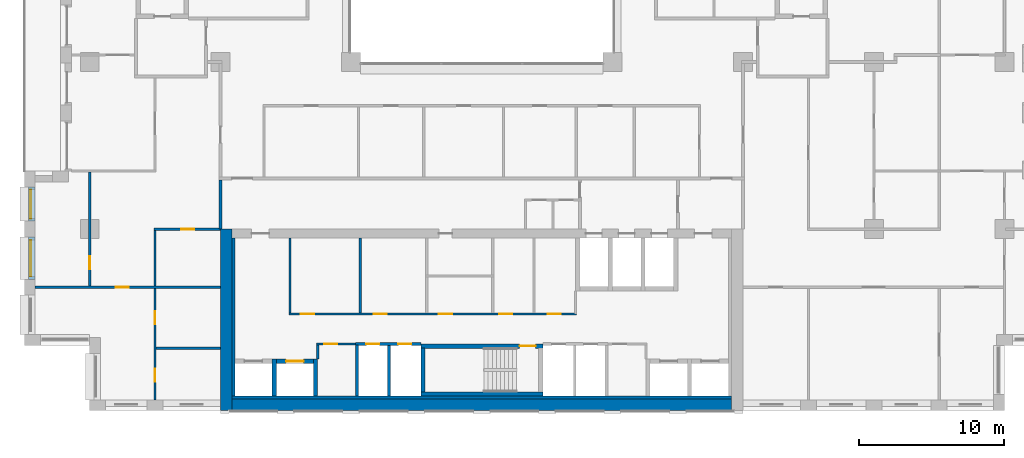
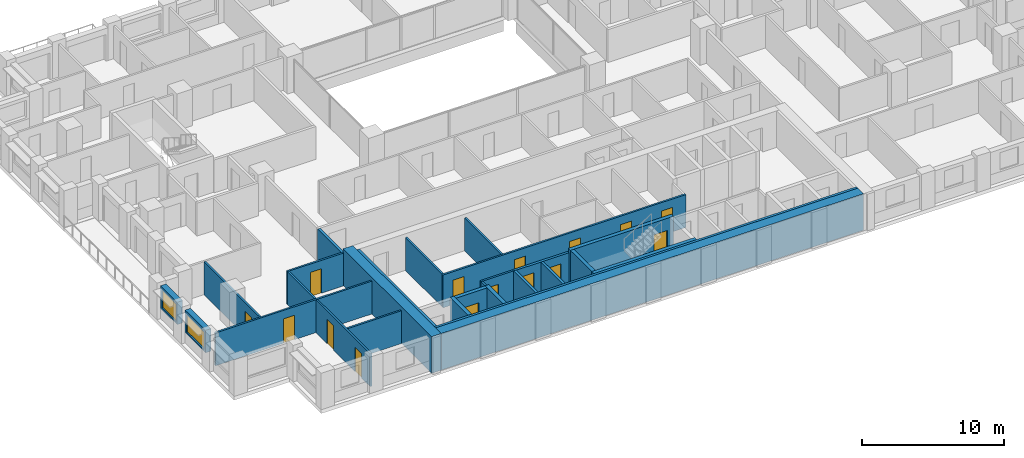
# One storey, part 8 of 16: 27 walls, 15 doors, 2 windows, 17 openings.
"""IFC4 building model written with IfcOpenShell, lengths in metres."""

from ifc_helpers import new_model, si_unit, direction, frame, frame_2d, origin, place, context, subcontext, project, spatial, rectangle, extrude, material, layer, layer_set, type_object, element, fill, save


model = new_model("IFC4")

# Units and contexts
model_context = context("Model", 3, precision=1e-05, world=origin(), true_north=direction((0.0, 1.0)))
body_context = subcontext(model_context, "Body", "Model", "MODEL_VIEW")
ifc_project = project(units=[si_unit("LENGTHUNIT", "METRE"), si_unit("AREAUNIT", "SQUARE_METRE"), si_unit("VOLUMEUNIT", "CUBIC_METRE"), si_unit("PLANEANGLEUNIT", "RADIAN"), si_unit("MASSUNIT", "GRAM", prefix="KILO")], contexts=[model_context])

# Site, building, storey
site_placement = place(None, origin())
site = spatial("IfcSite", under=ifc_project, at=site_placement, CompositionType="ELEMENT")
building_placement = place(site_placement, origin())
building = spatial("IfcBuilding", under=site, at=building_placement, Name="Brigalow Station Residences", CompositionType="ELEMENT")
storey_placement = place(building_placement, frame((0.0, 0.0, 86.699951171875)))
storey = spatial("IfcBuildingStorey", under=building, at=storey_placement, Name="L24", CompositionType="ELEMENT", Elevation=86.699951171875)

# Wall, opening, window
ifc_material_1 = material(Name="Clay brick masonry", Category="masonry")
ifc_layer_1 = layer(ifc_material_1, 0.449951171875)
ifc_layer_set_1 = layer_set([ifc_layer_1], Name="BRICK INFILL WALL 450")
wall_type_1 = type_object("IfcWallType", Name="BRICK INFILL WALL 450", PredefinedType="SOLIDWALL", material=ifc_layer_set_1)
wall_1_placement = place(storey_placement, frame((5.02490234375, 15.39990234375, 0.900146484375), z_axis=(0.0, 0.0, 1.0), x_axis=(0.0, -1.0, 0.0)))
wall_1 = element("IfcWall", 1, at=wall_1_placement, inside=storey, type_object=wall_type_1, Name="L24/ewall/W-L24-47", PredefinedType="SOLIDWALL", context=body_context, shape_type="SweptSolid", body=[
    extrude(rectangle(XDim=2.349853515625, YDim=0.449951171875, at=frame_2d((1.1748046875, 0.0))), origin(), (0.0, 0.0, 1.0), 1.929931640625),
])
opening_1_placement = place(wall_1_placement, frame((0.175048828125, 0.0, 0.14990234375)))
opening_1 = element("IfcOpeningElement", 2, at=opening_1_placement, cuts=wall_1, Name="Opening WT-7", PredefinedType="OPENING", context=body_context, shape_type="SweptSolid", body=[
    extrude(rectangle(XDim=2.0, YDim=1.5, at=frame_2d((1.0, 0.75))), frame((0.0, 0.23486328125, 0.0), z_axis=(0.0, -1.0, 0.0), x_axis=(1.0, 0.0, 0.0)), (0.0, 0.0, 1.0), 0.469970703125),
])
ifc_material_2 = material(Name="Anodised aluminium frame with double glazing", Category="aluminium")
window_type_1 = type_object("IfcWindowType", Name="WINDOW 2000x1500", PartitioningType="SINGLE_PANEL", PredefinedType="WINDOW", material=ifc_material_2)
window_1_placement = place(opening_1_placement, origin())
window_1 = element("IfcWindow", 3, at=window_1_placement, inside=storey, type_object=window_type_1, Name="L24/window/W-L24-47", OverallHeight=1.5, OverallWidth=2.0, PartitioningType="SINGLE_PANEL", PredefinedType="WINDOW", context=body_context, shape_type="SweptSolid", body=[
    extrude(rectangle(XDim=2.0, YDim=1.5, at=frame_2d((1.0, 0.75))), frame((0.0, -0.06494140625, 0.0), z_axis=(0.0, -1.0, 0.0), x_axis=(1.0, 0.0, 0.0)), (0.0, 0.0, 1.0), 0.06005859375),
])
fill(opening_1, window_1)

wall_2_placement = place(storey_placement, frame((5.02490234375, 11.949951171875, 0.900146484375), z_axis=(0.0, 0.0, 1.0), x_axis=(0.0, -1.0, 0.0)))
wall_2 = element("IfcWall", 4, at=wall_2_placement, inside=storey, type_object=wall_type_1, Name="L24/ewall/W-L24-48", PredefinedType="SOLIDWALL", context=body_context, shape_type="SweptSolid", body=[
    extrude(rectangle(XDim=2.89990234375, YDim=0.449951171875, at=frame_2d((1.449951171875, 0.0))), origin(), (0.0, 0.0, 1.0), 1.929931640625),
])
opening_2_placement = place(wall_2_placement, frame((0.199951171875, 0.0, 0.14990234375)))
opening_2 = element("IfcOpeningElement", 5, at=opening_2_placement, cuts=wall_2, Name="Opening WT-5", PredefinedType="OPENING", context=body_context, shape_type="SweptSolid", body=[
    extrude(rectangle(XDim=2.5, YDim=1.5, at=frame_2d((1.25, 0.75))), frame((0.0, 0.23486328125, 0.0), z_axis=(0.0, -1.0, 0.0), x_axis=(1.0, 0.0, 0.0)), (0.0, 0.0, 1.0), 0.469970703125),
])
ifc_material_3 = material(Name="Anodised aluminium frame with double glazing", Category="aluminium")
window_type_2 = type_object("IfcWindowType", Name="WINDOW 2500x1500", PartitioningType="SINGLE_PANEL", PredefinedType="WINDOW", material=ifc_material_3)
window_2_placement = place(opening_2_placement, origin())
window_2 = element("IfcWindow", 6, at=window_2_placement, inside=storey, type_object=window_type_2, Name="L24/window/W-L24-48", OverallHeight=1.5, OverallWidth=2.5, PartitioningType="SINGLE_PANEL", PredefinedType="WINDOW", context=body_context, shape_type="SweptSolid", body=[
    extrude(rectangle(XDim=2.5, YDim=1.5, at=frame_2d((1.25, 0.75))), frame((0.0, -0.06494140625, 0.0), z_axis=(0.0, -1.0, 0.0), x_axis=(1.0, 0.0, 0.0)), (0.0, 0.0, 1.0), 0.06005859375),
])
fill(opening_2, window_2)

# Walls
ifc_material_4 = material(Name="Concrete C65", Category="concrete")
ifc_layer_2 = layer(ifc_material_4, 0.199951171875)
ifc_layer_set_2 = layer_set([ifc_layer_2], Name="CORE SHEAR WALL 200 C65")
wall_type_2 = type_object("IfcWallType", Name="CORE SHEAR WALL 200 C65", PredefinedType="SHEAR", material=ifc_layer_set_2)
wall_3_placement = place(storey_placement, frame((18.89990234375, 1.0, 0.0), z_axis=(0.0, 0.0, 1.0), x_axis=(0.0, 1.0, 0.0)))
element("IfcWall", 7, at=wall_3_placement, inside=storey, type_object=wall_type_2, Name="CORE WALL LIN-W L24", PredefinedType="SHEAR", context=body_context, shape_type="SweptSolid", body=[
    extrude(rectangle(XDim=10.89990234375, YDim=0.199951171875, at=frame_2d((5.449951171875, 0.0))), origin(), (0.0, 0.0, 1.0), 3.150146484375),
])
wall_4_placement = place(storey_placement, frame((18.800048828125, 0.89990234375, 0.0), z_axis=(0.0, 0.0, 1.0), x_axis=(1.0, 0.0, 0.0)))
element("IfcWall", 8, at=wall_4_placement, inside=storey, type_object=wall_type_2, Name="CORE WALL LIN-S L24", PredefinedType="SHEAR", context=body_context, shape_type="SweptSolid", body=[
    extrude(rectangle(XDim=34.39990234375, YDim=0.199951171875, at=frame_2d((17.199951171875, 0.0))), origin(), (0.0, 0.0, 1.0), 3.150146484375),
])

# Wall, opening, door
ifc_material_5 = material(Name="Concrete C65", Category="concrete")
ifc_layer_3 = layer(ifc_material_5, 0.300048828125)
ifc_layer_set_3 = layer_set([ifc_layer_3], Name="CORE SHEAR WALL 300 C65")
wall_type_3 = type_object("IfcWallType", Name="CORE SHEAR WALL 300 C65", PredefinedType="SHEAR", material=ifc_layer_set_3)
wall_5_placement = place(storey_placement, frame((21.85009765625, 3.39990234375, 0.0), z_axis=(0.0, 0.0, 1.0), x_axis=(1.0, 0.0, 0.0)))
wall_5 = element("IfcWall", 9, at=wall_5_placement, inside=storey, type_object=wall_type_3, Name="CORE WALL SH-C2-N L24", PredefinedType="SHEAR", context=body_context, shape_type="SweptSolid", body=[
    extrude(rectangle(XDim=2.5498046875, YDim=0.300048828125, at=frame_2d((1.27490234375, 0.0))), origin(), (0.0, 0.0, 1.0), 3.150146484375),
])
opening_3_placement = place(wall_5_placement, frame((0.675048828125, 0.0, 0.0)))
opening_3 = element("IfcOpeningElement", 10, at=opening_3_placement, cuts=wall_5, Name="Opening LD-LB2", PredefinedType="OPENING", context=body_context, shape_type="SweptSolid", body=[
    extrude(rectangle(XDim=1.199951171875, YDim=2.10009765625, at=frame_2d((0.60009765625, 1.050048828125))), frame((0.0, 0.16015625, 0.0), z_axis=(0.0, -1.0, 0.0), x_axis=(1.0, 0.0, 0.0)), (0.0, 0.0, 1.0), 0.320068359375),
])
ifc_material_6 = material(Name="Stainless steel sliding door leaves", Category="steel")
door_type_1 = type_object("IfcDoorType", Name="LIFT LANDING DOOR 1200 x 2100", OperationType="DOUBLE_DOOR_SLIDING", PredefinedType="DOOR", material=ifc_material_6)
door_1_placement = place(opening_3_placement, origin())
door_1 = element("IfcDoor", 11, at=door_1_placement, inside=storey, type_object=door_type_1, Name="LANDING DOOR LB2", OperationType="DOUBLE_DOOR_SLIDING", OverallHeight=2.10009765625, OverallWidth=1.199951171875, PredefinedType="DOOR", context=body_context, shape_type="SweptSolid", body=[
    extrude(rectangle(XDim=1.199951171875, YDim=2.10009765625, at=frame_2d((0.60009765625, 1.050048828125))), frame((0.0, 0.02490234375, 0.0), z_axis=(0.0, -1.0, 0.0), x_axis=(1.0, 0.0, 0.0)), (0.0, 0.0, 1.0), 0.050048828125),
])
fill(opening_3, door_1)

# Walls
for number, where, z_axis, x_axis, name in (
    (12, (21.699951171875, 1.0, 0.0), (0.0, 0.0, 1.0), (0.0, 1.0, 0.0), "CORE WALL SH-C2-W L24"),
    (13, (24.550048828125, 1.0, 0.0), (0.0, 0.0, 1.0), (0.0, 1.0, 0.0), "CORE WALL SH-C2-E L24"),
):
    element("IfcWall", number, at=place(storey_placement, frame(where, z_axis=z_axis, x_axis=x_axis)), inside=storey, type_object=wall_type_3, Name=name, PredefinedType="SHEAR", context=body_context, shape_type="SweptSolid", body=[
        extrude(rectangle(XDim=2.550048828125, YDim=0.300048828125, at=frame_2d((1.27490234375, 0.0))), origin(), (0.0, 0.0, 1.0), 3.150146484375),
    ])
wall_6_placement = place(storey_placement, frame((31.800048828125, 1.14990234375, 0.0), z_axis=(0.0, 0.0, 1.0), x_axis=(1.0, 0.0, 0.0)))
element("IfcWall", 14, at=wall_6_placement, inside=storey, type_object=wall_type_3, Name="CORE WALL ST-S2-S L24", PredefinedType="SHEAR", context=body_context, shape_type="SweptSolid", body=[
    extrude(rectangle(XDim=8.39990234375, YDim=0.300048828125, at=frame_2d((4.199951171875, 0.0))), origin(), (0.0, 0.0, 1.0), 3.150146484375),
])

# Wall, opening, door
wall_7_placement = place(storey_placement, frame((31.800048828125, 4.449951171875, 0.0), z_axis=(0.0, 0.0, 1.0), x_axis=(1.0, 0.0, 0.0)))
wall_7 = element("IfcWall", 15, at=wall_7_placement, inside=storey, type_object=wall_type_3, Name="CORE WALL ST-S2-N L24", PredefinedType="SHEAR", context=body_context, shape_type="SweptSolid", body=[
    extrude(rectangle(XDim=8.39990234375, YDim=0.300048828125, at=frame_2d((4.199951171875, 0.0))), origin(), (0.0, 0.0, 1.0), 3.150146484375),
])
opening_4_placement = place(wall_7_placement, frame((6.800048828125, 0.0, 0.0)))
opening_4 = element("IfcOpeningElement", 16, at=opening_4_placement, cuts=wall_7, Name="Opening D-5001", PredefinedType="OPENING", context=body_context, shape_type="SweptSolid", body=[
    extrude(rectangle(XDim=1.10009765625, YDim=2.10009765625, at=frame_2d((0.550048828125, 1.050048828125))), frame((0.0, 0.16015625, 0.0), z_axis=(0.0, -1.0, 0.0), x_axis=(1.0, 0.0, 0.0)), (0.0, 0.0, 1.0), 0.320068359375),
])
ifc_material_7 = material(Name="Steel fire door leaf in steel frame", Category="steel")
door_type_2 = type_object("IfcDoorType", Name="STAIR DOOR 1100 x 2100 FD60S", OperationType="SINGLE_SWING_LEFT", PredefinedType="DOOR", material=ifc_material_7)
door_2_placement = place(opening_4_placement, frame((1.10009765625, 0.0, 0.0), z_axis=(0.0, 0.0, 1.0), x_axis=(-1.0, 0.0, 0.0)))
door_2 = element("IfcDoor", 17, at=door_2_placement, inside=storey, type_object=door_type_2, Name="D-5001", OperationType="SINGLE_SWING_LEFT", OverallHeight=2.10009765625, OverallWidth=1.10009765625, PredefinedType="DOOR", context=body_context, shape_type="SweptSolid", body=[
    extrude(rectangle(XDim=1.10009765625, YDim=2.10009765625, at=frame_2d((0.550048828125, 1.050048828125))), frame((0.0, 0.02490234375, 0.0), z_axis=(0.0, -1.0, 0.0), x_axis=(1.0, 0.0, 0.0)), (0.0, 0.0, 1.0), 0.050048828125),
])
fill(opening_4, door_2)

# Walls
wall_8_placement = place(storey_placement, frame((31.949951171875, 1.300048828125, 0.0), z_axis=(0.0, 0.0, 1.0), x_axis=(0.0, 1.0, 0.0)))
element("IfcWall", 18, at=wall_8_placement, inside=storey, type_object=wall_type_3, Name="CORE WALL ST-S2-W L24", PredefinedType="SHEAR", context=body_context, shape_type="SweptSolid", body=[
    extrude(rectangle(XDim=3.0, YDim=0.300048828125, at=frame_2d((1.5, 0.0))), origin(), (0.0, 0.0, 1.0), 3.150146484375),
])
ifc_material_8 = material(Name="Concrete C65", Category="concrete")
ifc_layer_4 = layer(ifc_material_8, 0.800048828125)
ifc_layer_set_4 = layer_set([ifc_layer_4], Name="CORE SHEAR WALL 800 C65")
wall_type_4 = type_object("IfcWallType", Name="CORE SHEAR WALL 800 C65", PredefinedType="SHEAR", material=ifc_layer_set_4)
wall_9_placement = place(storey_placement, frame((18.39990234375, 0.0, 0.0), z_axis=(0.0, 0.0, 1.0), x_axis=(0.0, 1.0, 0.0)))
element("IfcWall", 19, at=wall_9_placement, inside=storey, type_object=wall_type_4, Name="CORE WALL OUT-W L24", PredefinedType="SHEAR", context=body_context, shape_type="SweptSolid", body=[
    extrude(rectangle(XDim=12.5, YDim=0.800048828125, at=frame_2d((6.25, 0.0))), origin(), (0.0, 0.0, 1.0), 3.150146484375),
])
wall_10_placement = place(storey_placement, frame((18.800048828125, 0.39990234375, 0.0), z_axis=(0.0, 0.0, 1.0), x_axis=(1.0, 0.0, 0.0)))
element("IfcWall", 20, at=wall_10_placement, inside=storey, type_object=wall_type_4, Name="CORE WALL OUT-S L24", PredefinedType="SHEAR", context=body_context, shape_type="SweptSolid", body=[
    extrude(rectangle(XDim=34.39990234375, YDim=0.800048828125, at=frame_2d((17.199951171875, 0.0))), origin(), (0.0, 0.0, 1.0), 3.150146484375),
])

# Wall, openings, doors
ifc_material_9 = material(Name="Concrete blockwork", Category="masonry")
ifc_layer_5 = layer(ifc_material_9, 0.199951171875)
ifc_layer_set_5 = layer_set([ifc_layer_5], Name="FIRE RATED CORE PARTITION 200")
wall_type_5 = type_object("IfcWallType", Name="FIRE RATED CORE PARTITION 200", PredefinedType="PARTITIONING", material=ifc_layer_set_5)
wall_11_placement = place(storey_placement, frame((27.300048828125, 4.60009765625, 0.0), z_axis=(0.0, 0.0, 1.0), x_axis=(1.0, 0.0, 0.0)))
wall_11 = element("IfcWall", 21, at=wall_11_placement, inside=storey, type_object=wall_type_5, Name="PW-5017", PredefinedType="PARTITIONING", context=body_context, shape_type="SweptSolid", body=[
    extrude(rectangle(XDim=4.5, YDim=0.199951171875, at=frame_2d((2.25, 0.0))), origin(), (0.0, 0.0, 1.0), 2.830078125),
])
opening_5_placement = place(wall_11_placement, frame((0.75, 0.0, 0.0)))
opening_5 = element("IfcOpeningElement", 22, at=opening_5_placement, cuts=wall_11, Name="Opening D-5007", PredefinedType="OPENING", context=body_context, shape_type="SweptSolid", body=[
    extrude(rectangle(XDim=0.89990234375, YDim=2.10009765625, at=frame_2d((0.449951171875, 1.050048828125))), frame((0.0, 0.10986328125, 0.0), z_axis=(0.0, -1.0, 0.0), x_axis=(1.0, 0.0, 0.0)), (0.0, 0.0, 1.0), 0.219970703125),
])
opening_6_placement = place(wall_11_placement, frame((2.949951171875, 0.0, 0.0)))
opening_6 = element("IfcOpeningElement", 23, at=opening_6_placement, cuts=wall_11, Name="Opening D-5008", PredefinedType="OPENING", context=body_context, shape_type="SweptSolid", body=[
    extrude(rectangle(XDim=0.89990234375, YDim=2.10009765625, at=frame_2d((0.449951171875, 1.050048828125))), frame((0.0, 0.10986328125, 0.0), z_axis=(0.0, -1.0, 0.0), x_axis=(1.0, 0.0, 0.0)), (0.0, 0.0, 1.0), 0.219970703125),
])
ifc_material_10 = material(Name="Steel fire door leaf in steel frame", Category="steel")
door_type_3 = type_object("IfcDoorType", Name="RISER ACCESS DOOR 900 x 2100 FD120", OperationType="SINGLE_SWING_LEFT", PredefinedType="DOOR", material=ifc_material_10)
door_3_placement = place(opening_5_placement, frame((0.89990234375, 0.0, 0.0), z_axis=(0.0, 0.0, 1.0), x_axis=(-1.0, 0.0, 0.0)))
door_3 = element("IfcDoor", 24, at=door_3_placement, inside=storey, type_object=door_type_3, Name="D-5007", OperationType="SINGLE_SWING_RIGHT", OverallHeight=2.10009765625, OverallWidth=0.89990234375, PredefinedType="DOOR", context=body_context, shape_type="SweptSolid", body=[
    extrude(rectangle(XDim=0.89990234375, YDim=2.10009765625, at=frame_2d((0.449951171875, 1.050048828125))), frame((0.0, 0.02490234375, 0.0), z_axis=(0.0, -1.0, 0.0), x_axis=(1.0, 0.0, 0.0)), (0.0, 0.0, 1.0), 0.050048828125),
])
fill(opening_5, door_3)
door_4_placement = place(opening_6_placement, frame((0.89990234375, 0.0, 0.0), z_axis=(0.0, 0.0, 1.0), x_axis=(-1.0, 0.0, 0.0)))
door_4 = element("IfcDoor", 25, at=door_4_placement, inside=storey, type_object=door_type_3, Name="D-5008", OperationType="SINGLE_SWING_RIGHT", OverallHeight=2.10009765625, OverallWidth=0.89990234375, PredefinedType="DOOR", context=body_context, shape_type="SweptSolid", body=[
    extrude(rectangle(XDim=0.89990234375, YDim=2.10009765625, at=frame_2d((0.449951171875, 1.050048828125))), frame((0.0, 0.02490234375, 0.0), z_axis=(0.0, -1.0, 0.0), x_axis=(1.0, 0.0, 0.0)), (0.0, 0.0, 1.0), 0.050048828125),
])
fill(opening_6, door_4)

# Walls
wall_12_placement = place(storey_placement, frame((27.39990234375, 1.0, 0.0), z_axis=(0.0, 0.0, 1.0), x_axis=(0.0, 1.0, 0.0)))
element("IfcWall", 26, at=wall_12_placement, inside=storey, type_object=wall_type_5, Name="PW-5027", PredefinedType="PARTITIONING", context=body_context, shape_type="SweptSolid", body=[
    extrude(rectangle(XDim=3.52490234375, YDim=0.199951171875, at=frame_2d((1.762451171875, 0.0))), origin(), (0.0, 0.0, 1.0), 2.830078125),
])
wall_13_placement = place(storey_placement, frame((29.60009765625, 1.0, 0.0), z_axis=(0.0, 0.0, 1.0), x_axis=(0.0, 1.0, 0.0)))
element("IfcWall", 27, at=wall_13_placement, inside=storey, type_object=wall_type_5, Name="PW-5006", PredefinedType="PARTITIONING", context=body_context, shape_type="SweptSolid", body=[
    extrude(rectangle(XDim=3.5, YDim=0.199951171875, at=frame_2d((1.75, 0.0))), origin(), (0.0, 0.0, 1.0), 2.830078125),
])
wall_14_placement = place(storey_placement, frame((18.0, 12.5, 0.0), z_axis=(0.0, 0.0, 1.0), x_axis=(0.0, 1.0, 0.0)))
element("IfcWall", 28, at=wall_14_placement, inside=storey, type_object=wall_type_5, Name="PW-5013", PredefinedType="PARTITIONING", context=body_context, shape_type="SweptSolid", body=[
    extrude(rectangle(XDim=3.39990234375, YDim=0.199951171875, at=frame_2d((1.699951171875, 0.0))), origin(), (0.0, 0.0, 1.0), 2.830078125),
])

# Wall, opening, door
ifc_material_11 = material(Name="Plasterboard on steel stud partition", Category="steel")
ifc_layer_6 = layer(ifc_material_11, 0.14990234375)
ifc_layer_set_6 = layer_set([ifc_layer_6], Name="FLAT PARTITION 150")
wall_type_6 = type_object("IfcWallType", Name="FLAT PARTITION 150", PredefinedType="PARTITIONING", material=ifc_layer_set_6)
wall_15_placement = place(storey_placement, frame((5.25, 8.5, 0.0), z_axis=(0.0, 0.0, 1.0), x_axis=(1.0, 0.0, 0.0)))
wall_15 = element("IfcWall", 29, at=wall_15_placement, inside=storey, type_object=wall_type_6, Name="PW-2A11", PredefinedType="PARTITIONING", context=body_context, shape_type="SweptSolid", body=[
    extrude(rectangle(XDim=12.75, YDim=0.14990234375, at=frame_2d((6.375, 0.0))), origin(), (0.0, 0.0, 1.0), 2.830078125),
])
opening_7_placement = place(wall_15_placement, frame((5.550048828125, 0.0, 0.0)))
opening_7 = element("IfcOpeningElement", 30, at=opening_7_placement, cuts=wall_15, Name="Opening D-2A04", PredefinedType="OPENING", context=body_context, shape_type="SweptSolid", body=[
    extrude(rectangle(XDim=0.89990234375, YDim=2.10009765625, at=frame_2d((0.449951171875, 1.050048828125))), frame((0.0, 0.0849609375, 0.0), z_axis=(0.0, -1.0, 0.0), x_axis=(1.0, 0.0, 0.0)), (0.0, 0.0, 1.0), 0.169921875),
])
ifc_material_12 = material(Name="Solid-core timber door leaf", Category="wood")
door_type_4 = type_object("IfcDoorType", Name="INTERNAL DOOR 900 x 2100", OperationType="SINGLE_SWING_LEFT", PredefinedType="DOOR", material=ifc_material_12)
door_5_placement = place(opening_7_placement, frame((0.89990234375, 0.0, 0.0), z_axis=(0.0, 0.0, 1.0), x_axis=(-1.0, 0.0, 0.0)))
door_5 = element("IfcDoor", 31, at=door_5_placement, inside=storey, type_object=door_type_4, Name="D-2A04", OperationType="SINGLE_SWING_LEFT", OverallHeight=2.10009765625, OverallWidth=0.89990234375, PredefinedType="DOOR", context=body_context, shape_type="SweptSolid", body=[
    extrude(rectangle(XDim=0.89990234375, YDim=2.10009765625, at=frame_2d((0.449951171875, 1.050048828125))), frame((0.0, 0.02490234375, 0.0), z_axis=(0.0, -1.0, 0.0), x_axis=(1.0, 0.0, 0.0)), (0.0, 0.0, 1.0), 0.050048828125),
])
fill(opening_7, door_5)

# Wall
wall_16_placement = place(storey_placement, frame((13.574951171875, 4.300048828125, 0.0), z_axis=(0.0, 0.0, 1.0), x_axis=(1.0, 0.0, 0.0)))
element("IfcWall", 32, at=wall_16_placement, inside=storey, type_object=wall_type_6, Name="PW-2A13", PredefinedType="PARTITIONING", context=body_context, shape_type="SweptSolid", body=[
    extrude(rectangle(XDim=4.425048828125, YDim=0.14990234375, at=frame_2d((2.21240234375, 0.0))), origin(), (0.0, 0.0, 1.0), 2.830078125),
])

# Wall, opening, door
wall_17_placement = place(storey_placement, frame((13.425048828125, 12.5, 0.0), z_axis=(0.0, 0.0, 1.0), x_axis=(1.0, 0.0, 0.0)))
wall_17 = element("IfcWall", 33, at=wall_17_placement, inside=storey, type_object=wall_type_6, Name="PW-2A16", PredefinedType="PARTITIONING", context=body_context, shape_type="SweptSolid", body=[
    extrude(rectangle(XDim=4.574951171875, YDim=0.14990234375, at=frame_2d((2.28759765625, 0.0))), origin(), (0.0, 0.0, 1.0), 2.830078125),
])
opening_8_placement = place(wall_17_placement, frame((1.875, 0.0, 0.0)))
opening_8 = element("IfcOpeningElement", 34, at=opening_8_placement, cuts=wall_17, Name="Opening D-2A08", PredefinedType="OPENING", context=body_context, shape_type="SweptSolid", body=[
    extrude(rectangle(XDim=0.89990234375, YDim=2.10009765625, at=frame_2d((0.449951171875, 1.050048828125))), frame((0.0, 0.0849609375, 0.0), z_axis=(0.0, -1.0, 0.0), x_axis=(1.0, 0.0, 0.0)), (0.0, 0.0, 1.0), 0.169921875),
])
door_6_placement = place(opening_8_placement, frame((0.89990234375, 0.0, 0.0), z_axis=(0.0, 0.0, 1.0), x_axis=(-1.0, 0.0, 0.0)))
door_6 = element("IfcDoor", 35, at=door_6_placement, inside=storey, type_object=door_type_4, Name="D-2A08", OperationType="SINGLE_SWING_RIGHT", OverallHeight=2.10009765625, OverallWidth=0.89990234375, PredefinedType="DOOR", context=body_context, shape_type="SweptSolid", body=[
    extrude(rectangle(XDim=0.89990234375, YDim=2.10009765625, at=frame_2d((0.449951171875, 1.050048828125))), frame((0.0, 0.02490234375, 0.0), z_axis=(0.0, -1.0, 0.0), x_axis=(1.0, 0.0, 0.0)), (0.0, 0.0, 1.0), 0.050048828125),
])
fill(opening_8, door_6)

# Wall, openings, doors
wall_18_placement = place(storey_placement, frame((13.5, 0.75, 0.0), z_axis=(0.0, 0.0, 1.0), x_axis=(0.0, 1.0, 0.0)))
wall_18 = element("IfcWall", 36, at=wall_18_placement, inside=storey, type_object=wall_type_6, Name="PW-2A48", PredefinedType="PARTITIONING", context=body_context, shape_type="SweptSolid", body=[
    extrude(rectangle(XDim=7.675048828125, YDim=0.14990234375, at=frame_2d((3.83740234375, 0.0))), origin(), (0.0, 0.0, 1.0), 2.830078125),
])
opening_9_placement = place(wall_18_placement, frame((1.25, 0.0, 0.0)))
opening_9 = element("IfcOpeningElement", 37, at=opening_9_placement, cuts=wall_18, Name="Opening D-2A05", PredefinedType="OPENING", context=body_context, shape_type="SweptSolid", body=[
    extrude(rectangle(XDim=0.89990234375, YDim=2.10009765625, at=frame_2d((0.449951171875, 1.050048828125))), frame((0.0, 0.0849609375, 0.0), z_axis=(0.0, -1.0, 0.0), x_axis=(1.0, 0.0, 0.0)), (0.0, 0.0, 1.0), 0.169921875),
])
opening_10_placement = place(wall_18_placement, frame((5.199951171875, 0.0, 0.0)))
opening_10 = element("IfcOpeningElement", 38, at=opening_10_placement, cuts=wall_18, Name="Opening D-2A06", PredefinedType="OPENING", context=body_context, shape_type="SweptSolid", body=[
    extrude(rectangle(XDim=0.89990234375, YDim=2.10009765625, at=frame_2d((0.449951171875, 1.050048828125))), frame((0.0, 0.0849609375, 0.0), z_axis=(0.0, -1.0, 0.0), x_axis=(1.0, 0.0, 0.0)), (0.0, 0.0, 1.0), 0.169921875),
])
door_7_placement = place(opening_9_placement, frame((0.89990234375, 0.0, 0.0), z_axis=(0.0, 0.0, 1.0), x_axis=(-1.0, 0.0, 0.0)))
door_7 = element("IfcDoor", 39, at=door_7_placement, inside=storey, type_object=door_type_4, Name="D-2A05", OperationType="SINGLE_SWING_RIGHT", OverallHeight=2.10009765625, OverallWidth=0.89990234375, PredefinedType="DOOR", context=body_context, shape_type="SweptSolid", body=[
    extrude(rectangle(XDim=0.89990234375, YDim=2.10009765625, at=frame_2d((0.449951171875, 1.050048828125))), frame((0.0, 0.02490234375, 0.0), z_axis=(0.0, -1.0, 0.0), x_axis=(1.0, 0.0, 0.0)), (0.0, 0.0, 1.0), 0.050048828125),
])
fill(opening_9, door_7)
door_8_placement = place(opening_10_placement, frame((0.89990234375, 0.0, 0.0), z_axis=(0.0, 0.0, 1.0), x_axis=(-1.0, 0.0, 0.0)))
door_8 = element("IfcDoor", 40, at=door_8_placement, inside=storey, type_object=door_type_4, Name="D-2A06", OperationType="SINGLE_SWING_LEFT", OverallHeight=2.10009765625, OverallWidth=0.89990234375, PredefinedType="DOOR", context=body_context, shape_type="SweptSolid", body=[
    extrude(rectangle(XDim=0.89990234375, YDim=2.10009765625, at=frame_2d((0.449951171875, 1.050048828125))), frame((0.0, 0.02490234375, 0.0), z_axis=(0.0, -1.0, 0.0), x_axis=(1.0, 0.0, 0.0)), (0.0, 0.0, 1.0), 0.050048828125),
])
fill(opening_10, door_8)

# Wall
wall_19_placement = place(storey_placement, frame((13.5, 8.574951171875, 0.0), z_axis=(0.0, 0.0, 1.0), x_axis=(0.0, 1.0, 0.0)))
element("IfcWall", 41, at=wall_19_placement, inside=storey, type_object=wall_type_6, Name="PW-2A49", PredefinedType="PARTITIONING", context=body_context, shape_type="SweptSolid", body=[
    extrude(rectangle(XDim=3.85009765625, YDim=0.14990234375, at=frame_2d((1.925048828125, 0.0))), origin(), (0.0, 0.0, 1.0), 2.830078125),
])

# Wall, opening, door
wall_20_placement = place(storey_placement, frame((9.0, 8.574951171875, 0.0), z_axis=(0.0, 0.0, 1.0), x_axis=(0.0, 1.0, 0.0)))
wall_20 = element("IfcWall", 42, at=wall_20_placement, inside=storey, type_object=wall_type_6, Name="PW-2A52", PredefinedType="PARTITIONING", context=body_context, shape_type="SweptSolid", body=[
    extrude(rectangle(XDim=7.85009765625, YDim=0.14990234375, at=frame_2d((3.925048828125, 0.0))), origin(), (0.0, 0.0, 1.0), 2.830078125),
])
opening_11_placement = place(wall_20_placement, frame((1.14990234375, 0.0, 0.0)))
opening_11 = element("IfcOpeningElement", 43, at=opening_11_placement, cuts=wall_20, Name="Opening D-2A07", PredefinedType="OPENING", context=body_context, shape_type="SweptSolid", body=[
    extrude(rectangle(XDim=0.89990234375, YDim=2.10009765625, at=frame_2d((0.449951171875, 1.050048828125))), frame((0.0, 0.0849609375, 0.0), z_axis=(0.0, -1.0, 0.0), x_axis=(1.0, 0.0, 0.0)), (0.0, 0.0, 1.0), 0.169921875),
])
door_9_placement = place(opening_11_placement, origin())
door_9 = element("IfcDoor", 44, at=door_9_placement, inside=storey, type_object=door_type_4, Name="D-2A07", OperationType="SINGLE_SWING_LEFT", OverallHeight=2.10009765625, OverallWidth=0.89990234375, PredefinedType="DOOR", context=body_context, shape_type="SweptSolid", body=[
    extrude(rectangle(XDim=0.89990234375, YDim=2.10009765625, at=frame_2d((0.449951171875, 1.050048828125))), frame((0.0, 0.02490234375, 0.0), z_axis=(0.0, -1.0, 0.0), x_axis=(1.0, 0.0, 0.0)), (0.0, 0.0, 1.0), 0.050048828125),
])
fill(opening_11, door_9)

ifc_material_13 = material(Name="Plasterboard on steel studs", Category="steel")
ifc_layer_7 = layer(ifc_material_13, 0.14990234375)
ifc_layer_set_7 = layer_set([ifc_layer_7], Name="SERVICE ROOM PARTITION 150")
wall_type_7 = type_object("IfcWallType", Name="SERVICE ROOM PARTITION 150", PredefinedType="PARTITIONING", material=ifc_layer_set_7)
wall_21_placement = place(storey_placement, frame((24.625, 4.60009765625, 0.0), z_axis=(0.0, 0.0, 1.0), x_axis=(1.0, 0.0, 0.0)))
wall_21 = element("IfcWall", 45, at=wall_21_placement, inside=storey, type_object=wall_type_7, Name="PW-5155", PredefinedType="PARTITIONING", context=body_context, shape_type="SweptSolid", body=[
    extrude(rectangle(XDim=2.675048828125, YDim=0.14990234375, at=frame_2d((1.33740234375, 0.0))), origin(), (0.0, 0.0, 1.0), 2.830078125),
])
opening_12_placement = place(wall_21_placement, frame((0.52490234375, 0.0, 0.0)))
opening_12 = element("IfcOpeningElement", 46, at=opening_12_placement, cuts=wall_21, Name="Opening D-5087", PredefinedType="OPENING", context=body_context, shape_type="SweptSolid", body=[
    extrude(rectangle(XDim=0.89990234375, YDim=2.10009765625, at=frame_2d((0.449951171875, 1.050048828125))), frame((0.0, 0.0849609375, 0.0), z_axis=(0.0, -1.0, 0.0), x_axis=(1.0, 0.0, 0.0)), (0.0, 0.0, 1.0), 0.169921875),
])
ifc_material_14 = material(Name="Steel door leaf in steel frame", Category="steel")
door_type_5 = type_object("IfcDoorType", Name="SERVICE ROOM DOOR 900 x 2100 FD60", OperationType="SINGLE_SWING_LEFT", PredefinedType="DOOR", material=ifc_material_14)
door_10_placement = place(opening_12_placement, frame((0.89990234375, 0.0, 0.0), z_axis=(0.0, 0.0, 1.0), x_axis=(-1.0, 0.0, 0.0)))
door_10 = element("IfcDoor", 47, at=door_10_placement, inside=storey, type_object=door_type_5, Name="D-5087", OperationType="SINGLE_SWING_RIGHT", OverallHeight=2.10009765625, OverallWidth=0.89990234375, PredefinedType="DOOR", context=body_context, shape_type="SweptSolid", body=[
    extrude(rectangle(XDim=0.89990234375, YDim=2.10009765625, at=frame_2d((0.449951171875, 1.050048828125))), frame((0.0, 0.02490234375, 0.0), z_axis=(0.0, -1.0, 0.0), x_axis=(1.0, 0.0, 0.0)), (0.0, 0.0, 1.0), 0.050048828125),
])
fill(opening_12, door_10)

# Wall, openings, doors
wall_22_placement = place(storey_placement, frame((22.72509765625, 6.64990234375, 0.0), z_axis=(0.0, 0.0, 1.0), x_axis=(1.0, 0.0, 0.0)))
wall_22 = element("IfcWall", 48, at=wall_22_placement, inside=storey, type_object=wall_type_7, Name="PW-5195", PredefinedType="PARTITIONING", context=body_context, shape_type="SweptSolid", body=[
    extrude(rectangle(XDim=19.7998046875, YDim=0.14990234375, at=frame_2d((9.89990234375, 0.0))), origin(), (0.0, 0.0, 1.0), 2.830078125),
])
opening_13_placement = place(wall_22_placement, frame((0.824951171875, 0.0, 0.0)))
opening_13 = element("IfcOpeningElement", 49, at=opening_13_placement, cuts=wall_22, Name="Opening D-5110", PredefinedType="OPENING", context=body_context, shape_type="SweptSolid", body=[
    extrude(rectangle(XDim=0.89990234375, YDim=2.10009765625, at=frame_2d((0.449951171875, 1.050048828125))), frame((0.0, 0.0849609375, 0.0), z_axis=(0.0, -1.0, 0.0), x_axis=(1.0, 0.0, 0.0)), (0.0, 0.0, 1.0), 0.169921875),
])
opening_14_placement = place(wall_22_placement, frame((5.824951171875, 0.0, 0.0)))
opening_14 = element("IfcOpeningElement", 50, at=opening_14_placement, cuts=wall_22, Name="Opening D-5111", PredefinedType="OPENING", context=body_context, shape_type="SweptSolid", body=[
    extrude(rectangle(XDim=0.89990234375, YDim=2.10009765625, at=frame_2d((0.449951171875, 1.050048828125))), frame((0.0, 0.0849609375, 0.0), z_axis=(0.0, -1.0, 0.0), x_axis=(1.0, 0.0, 0.0)), (0.0, 0.0, 1.0), 0.169921875),
])
opening_15_placement = place(wall_22_placement, frame((10.324951171875, 0.0, 0.0)))
opening_15 = element("IfcOpeningElement", 51, at=opening_15_placement, cuts=wall_22, Name="Opening D-5112", PredefinedType="OPENING", context=body_context, shape_type="SweptSolid", body=[
    extrude(rectangle(XDim=0.89990234375, YDim=2.10009765625, at=frame_2d((0.449951171875, 1.050048828125))), frame((0.0, 0.0849609375, 0.0), z_axis=(0.0, -1.0, 0.0), x_axis=(1.0, 0.0, 0.0)), (0.0, 0.0, 1.0), 0.169921875),
])
opening_16_placement = place(wall_22_placement, frame((14.47509765625, 0.0, 0.0)))
opening_16 = element("IfcOpeningElement", 52, at=opening_16_placement, cuts=wall_22, Name="Opening D-5114", PredefinedType="OPENING", context=body_context, shape_type="SweptSolid", body=[
    extrude(rectangle(XDim=0.89990234375, YDim=2.10009765625, at=frame_2d((0.449951171875, 1.050048828125))), frame((0.0, 0.0849609375, 0.0), z_axis=(0.0, -1.0, 0.0), x_axis=(1.0, 0.0, 0.0)), (0.0, 0.0, 1.0), 0.169921875),
])
opening_17_placement = place(wall_22_placement, frame((17.824951171875, 0.0, 0.0)))
opening_17 = element("IfcOpeningElement", 53, at=opening_17_placement, cuts=wall_22, Name="Opening D-5115", PredefinedType="OPENING", context=body_context, shape_type="SweptSolid", body=[
    extrude(rectangle(XDim=0.89990234375, YDim=2.10009765625, at=frame_2d((0.449951171875, 1.050048828125))), frame((0.0, 0.0849609375, 0.0), z_axis=(0.0, -1.0, 0.0), x_axis=(1.0, 0.0, 0.0)), (0.0, 0.0, 1.0), 0.169921875),
])
door_11_placement = place(opening_13_placement, origin())
door_11 = element("IfcDoor", 54, at=door_11_placement, inside=storey, type_object=door_type_5, Name="D-5110", OperationType="SINGLE_SWING_LEFT", OverallHeight=2.10009765625, OverallWidth=0.89990234375, PredefinedType="DOOR", context=body_context, shape_type="SweptSolid", body=[
    extrude(rectangle(XDim=0.89990234375, YDim=2.10009765625, at=frame_2d((0.449951171875, 1.050048828125))), frame((0.0, 0.02490234375, 0.0), z_axis=(0.0, -1.0, 0.0), x_axis=(1.0, 0.0, 0.0)), (0.0, 0.0, 1.0), 0.050048828125),
])
fill(opening_13, door_11)
door_12_placement = place(opening_14_placement, origin())
door_12 = element("IfcDoor", 55, at=door_12_placement, inside=storey, type_object=door_type_5, Name="D-5111", OperationType="SINGLE_SWING_LEFT", OverallHeight=2.10009765625, OverallWidth=0.89990234375, PredefinedType="DOOR", context=body_context, shape_type="SweptSolid", body=[
    extrude(rectangle(XDim=0.89990234375, YDim=2.10009765625, at=frame_2d((0.449951171875, 1.050048828125))), frame((0.0, 0.02490234375, 0.0), z_axis=(0.0, -1.0, 0.0), x_axis=(1.0, 0.0, 0.0)), (0.0, 0.0, 1.0), 0.050048828125),
])
fill(opening_14, door_12)
door_13_placement = place(opening_15_placement, origin())
door_13 = element("IfcDoor", 56, at=door_13_placement, inside=storey, type_object=door_type_5, Name="D-5112", OperationType="SINGLE_SWING_LEFT", OverallHeight=2.10009765625, OverallWidth=0.89990234375, PredefinedType="DOOR", context=body_context, shape_type="SweptSolid", body=[
    extrude(rectangle(XDim=0.89990234375, YDim=2.10009765625, at=frame_2d((0.449951171875, 1.050048828125))), frame((0.0, 0.02490234375, 0.0), z_axis=(0.0, -1.0, 0.0), x_axis=(1.0, 0.0, 0.0)), (0.0, 0.0, 1.0), 0.050048828125),
])
fill(opening_15, door_13)
door_14_placement = place(opening_16_placement, origin())
door_14 = element("IfcDoor", 57, at=door_14_placement, inside=storey, type_object=door_type_5, Name="D-5114", OperationType="SINGLE_SWING_LEFT", OverallHeight=2.10009765625, OverallWidth=0.89990234375, PredefinedType="DOOR", context=body_context, shape_type="SweptSolid", body=[
    extrude(rectangle(XDim=0.89990234375, YDim=2.10009765625, at=frame_2d((0.449951171875, 1.050048828125))), frame((0.0, 0.02490234375, 0.0), z_axis=(0.0, -1.0, 0.0), x_axis=(1.0, 0.0, 0.0)), (0.0, 0.0, 1.0), 0.050048828125),
])
fill(opening_16, door_14)
door_15_placement = place(opening_17_placement, origin())
door_15 = element("IfcDoor", 58, at=door_15_placement, inside=storey, type_object=door_type_5, Name="D-5115", OperationType="SINGLE_SWING_LEFT", OverallHeight=2.10009765625, OverallWidth=0.89990234375, PredefinedType="DOOR", context=body_context, shape_type="SweptSolid", body=[
    extrude(rectangle(XDim=0.89990234375, YDim=2.10009765625, at=frame_2d((0.449951171875, 1.050048828125))), frame((0.0, 0.02490234375, 0.0), z_axis=(0.0, -1.0, 0.0), x_axis=(1.0, 0.0, 0.0)), (0.0, 0.0, 1.0), 0.050048828125),
])
fill(opening_17, door_15)

# Walls
wall_23_placement = place(storey_placement, frame((24.699951171875, 3.550048828125, 0.0), z_axis=(0.0, 0.0, 1.0), x_axis=(0.0, 1.0, 0.0)))
element("IfcWall", 59, at=wall_23_placement, inside=storey, type_object=wall_type_7, Name="PW-5157", PredefinedType="PARTITIONING", context=body_context, shape_type="SweptSolid", body=[
    extrude(rectangle(XDim=0.974853515625, YDim=0.14990234375, at=frame_2d((0.4873046875, 0.0))), origin(), (0.0, 0.0, 1.0), 2.830078125),
])
for number, where, z_axis, x_axis, name in (
    (60, (22.800048828125, 6.72509765625, 0.0), (0.0, 0.0, 1.0), (0.0, 1.0, 0.0), "PW-5197"),
    (61, (27.6298828125, 6.72509765625, 0.0), (0.0, 0.0, 1.0), (0.0, 1.0, 0.0), "PW-5198"),
):
    element("IfcWall", number, at=place(storey_placement, frame(where, z_axis=z_axis, x_axis=x_axis)), inside=storey, type_object=wall_type_7, Name=name, PredefinedType="PARTITIONING", context=body_context, shape_type="SweptSolid", body=[
        extrude(rectangle(XDim=5.1748046875, YDim=0.14990234375, at=frame_2d((2.58740234375, 0.0))), origin(), (0.0, 0.0, 1.0), 2.830078125),
    ])

save(model, "model.ifc")
